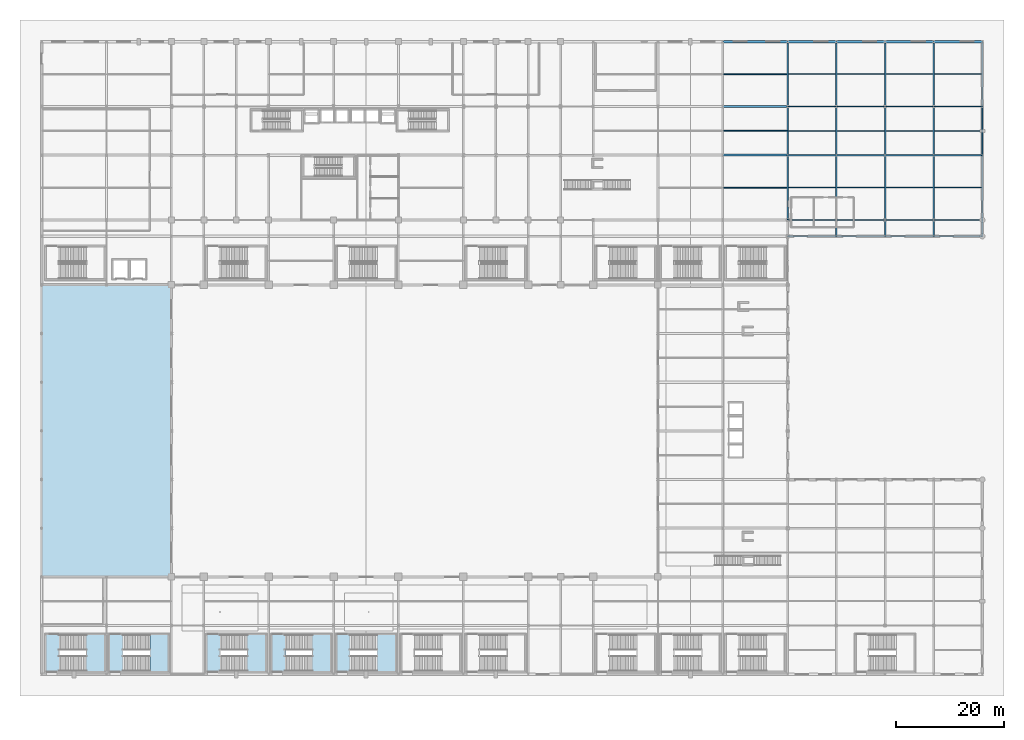
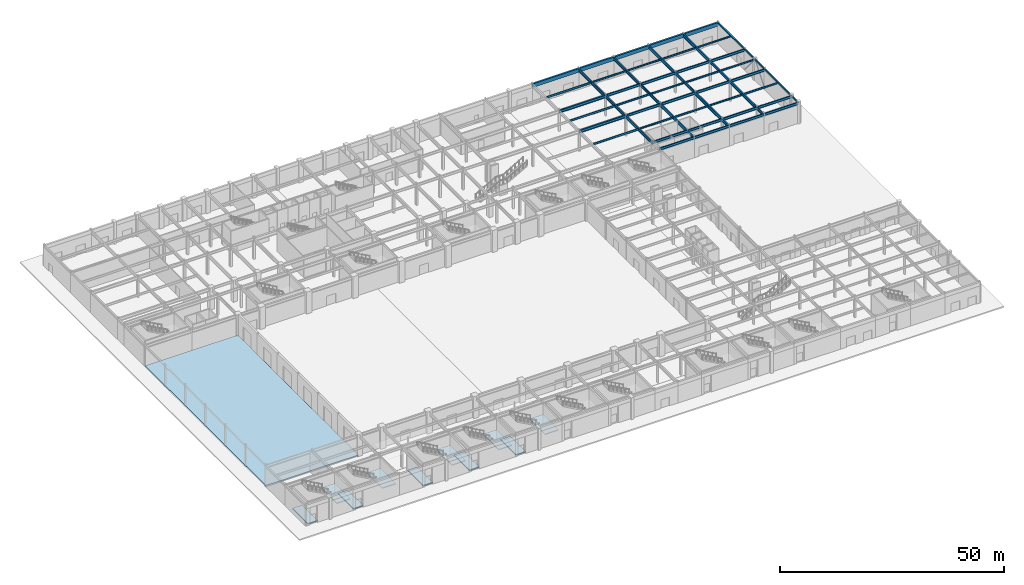
# One storey, part 18 of 44: 57 beams, 11 slabs, 2 members, 5 elements without a shape of their own.
"""IFC4 building model written with IfcOpenShell, lengths in metres."""

from ifc_helpers import new_model, si_unit, direction, frame, origin, origin_2d, place, context, subcontext, project, spatial, polyline, rectangle, hollow_rectangle, hollow_circle, i_section, outline, extrude, material, layer, layer_set, material_profile, profile_set, type_object, element, aggregate, save


model = new_model("IFC4")

# Units and contexts
model_context = context("Model", 3, precision=1e-05, world=origin(), true_north=direction((0.0, 1.0)))
body_context = subcontext(model_context, "Body", "Model", "MODEL_VIEW")
ifc_project = project(units=[si_unit("LENGTHUNIT", "METRE"), si_unit("AREAUNIT", "SQUARE_METRE"), si_unit("VOLUMEUNIT", "CUBIC_METRE"), si_unit("PLANEANGLEUNIT", "RADIAN"), si_unit("MASSUNIT", "GRAM", prefix="KILO")], contexts=[model_context])

# Site, building, storey
site_placement = place(None, origin())
site = spatial("IfcSite", under=ifc_project, at=site_placement, CompositionType="ELEMENT")
building_placement = place(site_placement, origin())
building = spatial("IfcBuilding", under=site, at=building_placement, Name="Kaldorvane Square Convention Centre", CompositionType="ELEMENT")
storey_placement = place(building_placement, origin())
storey = spatial("IfcBuildingStorey", under=building, at=storey_placement, Name="L00", CompositionType="ELEMENT", Elevation=0.0)

# Beams
ifc_material_1 = material(Name="Steel ASTM A992 Gr. 50", Category="steel")
ifc_material_profile_1 = material_profile(ifc_material_1, i_section(OverallWidth=0.25439453125, OverallDepth=0.6880950927734375, WebThickness=0.0131072998046875, FlangeThickness=0.0211029052734375, FilletRadius=0.01519775390625, at=origin_2d()), Name="W27X102")
ifc_profile_set_1 = profile_set([ifc_material_profile_1], Name="Steel ASTM A992 Gr. 50")
beam_type_1 = type_object("IfcBeamType", Name="BM-GR-W27X102", PredefinedType="BEAM", material=ifc_profile_set_1)
for number, where, z_axis, x_axis, name in (
    (1, (138.0, 81.0, 5.3318939208984375), (1.0, 0.0, 0.0), (0.0, 1.0, 0.0), "Primary Girder (L00)"),
    (2, (147.0, 81.0, 5.3318939208984375), (1.0, 0.0, 0.0), (0.0, 1.0, 0.0), "Primary Girder (L00)"),
    (3, (156.0, 81.0, 5.3318939208984375), (1.0, 0.0, 0.0), (0.0, 1.0, 0.0), "Primary Girder (L00)"),
    (4, (165.0, 81.0, 5.3318939208984375), (1.0, 0.0, 0.0), (0.0, 1.0, 0.0), "Primary Girder (L00)"),
    (5, (138.0, 84.0, 5.3318939208984375), (1.0, 0.0, 0.0), (0.0, 1.0, 0.0), "Primary Girder (L00)"),
    (6, (147.0, 84.0, 5.3318939208984375), (1.0, 0.0, 0.0), (0.0, 1.0, 0.0), "Primary Girder (L00)"),
    (7, (156.0, 84.0, 5.3318939208984375), (1.0, 0.0, 0.0), (0.0, 1.0, 0.0), "Primary Girder (L00)"),
    (8, (165.0, 84.0, 5.3318939208984375), (1.0, 0.0, 0.0), (0.0, 1.0, 0.0), "Primary Girder (L00)"),
    (9, (138.0, 96.0, 5.3318939208984375), (1.0, 0.0, 0.0), (0.0, 1.0, 0.0), "Primary Girder (L00)"),
    (10, (147.0, 96.0, 5.3318939208984375), (1.0, 0.0, 0.0), (0.0, 1.0, 0.0), "Primary Girder (L00)"),
    (11, (156.0, 96.0, 5.3318939208984375), (1.0, 0.0, 0.0), (0.0, 1.0, 0.0), "Primary Girder (L00)"),
    (12, (165.0, 96.0, 5.3318939208984375), (1.0, 0.0, 0.0), (0.0, 1.0, 0.0), "Primary Girder (L00)"),
    (13, (138.0, 105.0, 5.3318939208984375), (1.0, 0.0, 0.0), (0.0, 1.0, 0.0), "Primary Girder (L00)"),
    (14, (147.0, 105.0, 5.3318939208984375), (1.0, 0.0, 0.0), (0.0, 1.0, 0.0), "Primary Girder (L00)"),
    (15, (156.0, 105.0, 5.3318939208984375), (1.0, 0.0, 0.0), (0.0, 1.0, 0.0), "Primary Girder (L00)"),
    (16, (165.0, 105.0, 5.3318939208984375), (1.0, 0.0, 0.0), (0.0, 1.0, 0.0), "Primary Girder (L00)"),
):
    element("IfcBeam", number, at=place(storey_placement, frame(where, z_axis=z_axis, x_axis=x_axis)), inside=storey, type_object=beam_type_1, Name=name, PredefinedType="BEAM", context=body_context, shape_type="SweptSolid", body=[
        extrude(i_section(OverallWidth=0.25439453125, OverallDepth=0.6880950927734375, WebThickness=0.0131072998046875, FlangeThickness=0.0211029052734375, FilletRadius=0.01519775390625, at=origin_2d()), origin(), (0.0, 0.0, 1.0), 9.0),
    ])
ifc_material_profile_2 = material_profile(ifc_material_1, i_section(OverallWidth=0.2666015625, OverallDepth=0.762298583984375, WebThickness=0.014404296875, FlangeThickness=0.0216064453125, FilletRadius=0.0164947509765625, at=origin_2d()), Name="W30X116")
ifc_profile_set_2 = profile_set([ifc_material_profile_2], Name="Steel ASTM A992 Gr. 50")
beam_type_2 = type_object("IfcBeamType", Name="BM-GR-W30X116", PredefinedType="BEAM", material=ifc_profile_set_2)
beam_1_placement = place(storey_placement, frame((138.0, 96.0, 5.2949066162109375), z_axis=(0.0, 1.0, 0.0), x_axis=(-1.0, 0.0, 0.0)))
element("IfcBeam", 17, at=beam_1_placement, inside=storey, type_object=beam_type_2, Name="Transverse Girder (L00)", PredefinedType="BEAM", context=body_context, shape_type="SweptSolid", body=[
    extrude(i_section(OverallWidth=0.2666015625, OverallDepth=0.762298583984375, WebThickness=0.014404296875, FlangeThickness=0.0216064453125, FilletRadius=0.0164947509765625, at=origin_2d()), origin(), (0.0, 0.0, 1.0), 9.0),
])
beam_2_placement = place(storey_placement, frame((147.0, 81.0, 5.2949066162109375), z_axis=(0.0, 1.0, 0.0), x_axis=(-1.0, 0.0, 0.0)))
element("IfcBeam", 18, at=beam_2_placement, inside=storey, type_object=beam_type_2, Name="Transverse Girder (L00)", PredefinedType="BEAM", context=body_context, shape_type="SweptSolid", body=[
    extrude(i_section(OverallWidth=0.2666015625, OverallDepth=0.762298583984375, WebThickness=0.014404296875, FlangeThickness=0.0216064453125, FilletRadius=0.0164947509765625, at=origin_2d()), origin(), (0.0, 0.0, 1.0), 3.0),
])
beam_3_placement = place(storey_placement, frame((147.0, 96.0, 5.2949066162109375), z_axis=(0.0, 1.0, 0.0), x_axis=(-1.0, 0.0, 0.0)))
element("IfcBeam", 19, at=beam_3_placement, inside=storey, type_object=beam_type_2, Name="Transverse Girder (L00)", PredefinedType="BEAM", context=body_context, shape_type="SweptSolid", body=[
    extrude(i_section(OverallWidth=0.2666015625, OverallDepth=0.762298583984375, WebThickness=0.014404296875, FlangeThickness=0.0216064453125, FilletRadius=0.0164947509765625, at=origin_2d()), origin(), (0.0, 0.0, 1.0), 9.0),
])
beam_4_placement = place(storey_placement, frame((156.0, 81.0, 5.2949066162109375), z_axis=(0.0, 1.0, 0.0), x_axis=(-1.0, 0.0, 0.0)))
element("IfcBeam", 20, at=beam_4_placement, inside=storey, type_object=beam_type_2, Name="Transverse Girder (L00)", PredefinedType="BEAM", context=body_context, shape_type="SweptSolid", body=[
    extrude(i_section(OverallWidth=0.2666015625, OverallDepth=0.762298583984375, WebThickness=0.014404296875, FlangeThickness=0.0216064453125, FilletRadius=0.0164947509765625, at=origin_2d()), origin(), (0.0, 0.0, 1.0), 3.0),
])
beam_5_placement = place(storey_placement, frame((156.0, 96.0, 5.2949066162109375), z_axis=(0.0, 1.0, 0.0), x_axis=(-1.0, 0.0, 0.0)))
element("IfcBeam", 21, at=beam_5_placement, inside=storey, type_object=beam_type_2, Name="Transverse Girder (L00)", PredefinedType="BEAM", context=body_context, shape_type="SweptSolid", body=[
    extrude(i_section(OverallWidth=0.2666015625, OverallDepth=0.762298583984375, WebThickness=0.014404296875, FlangeThickness=0.0216064453125, FilletRadius=0.0164947509765625, at=origin_2d()), origin(), (0.0, 0.0, 1.0), 9.0),
])
beam_6_placement = place(storey_placement, frame((165.0, 81.0, 5.2949066162109375), z_axis=(0.0, 1.0, 0.0), x_axis=(-1.0, 0.0, 0.0)))
element("IfcBeam", 22, at=beam_6_placement, inside=storey, type_object=beam_type_2, Name="Transverse Girder (L00)", PredefinedType="BEAM", context=body_context, shape_type="SweptSolid", body=[
    extrude(i_section(OverallWidth=0.2666015625, OverallDepth=0.762298583984375, WebThickness=0.014404296875, FlangeThickness=0.0216064453125, FilletRadius=0.0164947509765625, at=origin_2d()), origin(), (0.0, 0.0, 1.0), 3.0),
])
beam_7_placement = place(storey_placement, frame((165.0, 96.0, 5.2949066162109375), z_axis=(0.0, 1.0, 0.0), x_axis=(-1.0, 0.0, 0.0)))
element("IfcBeam", 23, at=beam_7_placement, inside=storey, type_object=beam_type_2, Name="Transverse Girder (L00)", PredefinedType="BEAM", context=body_context, shape_type="SweptSolid", body=[
    extrude(i_section(OverallWidth=0.2666015625, OverallDepth=0.762298583984375, WebThickness=0.014404296875, FlangeThickness=0.0216064453125, FilletRadius=0.0164947509765625, at=origin_2d()), origin(), (0.0, 0.0, 1.0), 9.0),
])
ifc_material_profile_3 = material_profile(ifc_material_1, i_section(OverallWidth=0.380706787109375, OverallDepth=0.773193359375, WebThickness=0.0166015625, FlangeThickness=0.027099609375, FilletRadius=0.0164947509765625, at=origin_2d()), Name="W30X173")
ifc_profile_set_3 = profile_set([ifc_material_profile_3], Name="Steel ASTM A992 Gr. 50")
beam_type_3 = type_object("IfcBeamType", Name="BM-GR-W30X173", PredefinedType="BEAM", material=ifc_profile_set_3)
for number, where, z_axis, x_axis, name in (
    (24, (126.0, 96.0, 5.289398193359375), (1.0, 0.0, 0.0), (0.0, 1.0, 0.0), "Primary Girder (L00)"),
    (25, (126.0, 105.0, 5.289398193359375), (1.0, 0.0, 0.0), (0.0, 1.0, 0.0), "Primary Girder (L00)"),
):
    element("IfcBeam", number, at=place(storey_placement, frame(where, z_axis=z_axis, x_axis=x_axis)), inside=storey, type_object=beam_type_3, Name=name, PredefinedType="BEAM", context=body_context, shape_type="SweptSolid", body=[
        extrude(i_section(OverallWidth=0.380706787109375, OverallDepth=0.773193359375, WebThickness=0.0166015625, FlangeThickness=0.027099609375, FilletRadius=0.0164947509765625, at=origin_2d()), origin(), (0.0, 0.0, 1.0), 12.0),
    ])
ifc_material_profile_4 = material_profile(ifc_material_1, i_section(OverallWidth=0.292999267578125, OverallDepth=0.845794677734375, WebThickness=0.0153961181640625, FlangeThickness=0.0243988037109375, FilletRadius=0.0178070068359375, at=origin_2d()), Name="W33X141")
ifc_profile_set_4 = profile_set([ifc_material_profile_4], Name="Steel ASTM A992 Gr. 50")
beam_type_4 = type_object("IfcBeamType", Name="BM-GR-W33X141", PredefinedType="BEAM", material=ifc_profile_set_4)
for number, where, z_axis, x_axis, name in (
    (26, (138.0, 84.0, 5.2530975341796875), (0.0, 1.0, 0.0), (-1.0, 0.0, 0.0), "Transverse Girder (L00)"),
    (27, (138.0, 105.0, 5.2530975341796875), (0.0, 1.0, 0.0), (-1.0, 0.0, 0.0), "Transverse Girder (L00)"),
    (28, (147.0, 84.0, 5.2530975341796875), (0.0, 1.0, 0.0), (-1.0, 0.0, 0.0), "Transverse Girder (L00)"),
    (29, (147.0, 105.0, 5.2530975341796875), (0.0, 1.0, 0.0), (-1.0, 0.0, 0.0), "Transverse Girder (L00)"),
    (30, (156.0, 84.0, 5.2530975341796875), (0.0, 1.0, 0.0), (-1.0, 0.0, 0.0), "Transverse Girder (L00)"),
    (31, (156.0, 105.0, 5.2530975341796875), (0.0, 1.0, 0.0), (-1.0, 0.0, 0.0), "Transverse Girder (L00)"),
    (32, (165.0, 84.0, 5.2530975341796875), (0.0, 1.0, 0.0), (-1.0, 0.0, 0.0), "Transverse Girder (L00)"),
    (33, (165.0, 105.0, 5.2530975341796875), (0.0, 1.0, 0.0), (-1.0, 0.0, 0.0), "Transverse Girder (L00)"),
):
    element("IfcBeam", number, at=place(storey_placement, frame(where, z_axis=z_axis, x_axis=x_axis)), inside=storey, type_object=beam_type_4, Name=name, PredefinedType="BEAM", context=body_context, shape_type="SweptSolid", body=[
        extrude(i_section(OverallWidth=0.292999267578125, OverallDepth=0.845794677734375, WebThickness=0.0153961181640625, FlangeThickness=0.0243988037109375, FilletRadius=0.0178070068359375, at=origin_2d()), origin(), (0.0, 0.0, 1.0), 12.0),
    ])
ifc_material_profile_5 = material_profile(ifc_material_1, i_section(OverallWidth=0.1912994384765625, OverallDepth=0.4600067138671875, WebThickness=0.0099029541015625, FlangeThickness=0.0160064697265625, FilletRadius=0.01019287109375, at=origin_2d()), Name="W18X55")
ifc_profile_set_5 = profile_set([ifc_material_profile_5], Name="Steel ASTM A992 Gr. 50")
beam_type_5 = type_object("IfcBeamType", Name="BM-JS-W18X55", PredefinedType="JOIST", material=ifc_profile_set_5)
for number, where, z_axis, x_axis, name in (
    (34, (138.14649963378906, 90.0, 5.4459991455078125), (1.0, 0.0, 0.0), (0.0, 1.0, 0.0), "Secondary Floor Joist (L00)"),
    (35, (147.14649963378906, 90.0, 5.4459991455078125), (1.0, 0.0, 0.0), (0.0, 1.0, 0.0), "Secondary Floor Joist (L00)"),
    (36, (156.14649963378906, 90.0, 5.4459991455078125), (1.0, 0.0, 0.0), (0.0, 1.0, 0.0), "Secondary Floor Joist (L00)"),
):
    element("IfcBeam", number, at=place(storey_placement, frame(where, z_axis=z_axis, x_axis=x_axis)), inside=storey, type_object=beam_type_5, Name=name, PredefinedType="JOIST", context=body_context, shape_type="SweptSolid", body=[
        extrude(i_section(OverallWidth=0.1912994384765625, OverallDepth=0.4600067138671875, WebThickness=0.0099029541015625, FlangeThickness=0.0160064697265625, FilletRadius=0.01019287109375, at=origin_2d()), origin(), (0.0, 0.0, 1.0), 8.707000732421875),
    ])
beam_8_placement = place(storey_placement, frame((165.14649963378906, 90.0, 5.4459991455078125), z_axis=(1.0, 0.0, 0.0), x_axis=(0.0, 1.0, 0.0)))
element("IfcBeam", 37, at=beam_8_placement, inside=storey, type_object=beam_type_5, Name="Secondary Floor Joist (L00)", PredefinedType="JOIST", context=body_context, shape_type="SweptSolid", body=[
    extrude(i_section(OverallWidth=0.1912994384765625, OverallDepth=0.4600067138671875, WebThickness=0.0099029541015625, FlangeThickness=0.0160064697265625, FilletRadius=0.01019287109375, at=origin_2d()), origin(), (0.0, 0.0, 1.0), 8.701095581054688),
])
for number, where, z_axis, x_axis, name in (
    (38, (138.13330078125, 100.5, 5.4459991455078125), (1.0, 0.0, 0.0), (0.0, 1.0, 0.0), "Secondary Floor Joist (L00)"),
    (39, (147.13330078125, 100.5, 5.4459991455078125), (1.0, 0.0, 0.0), (0.0, 1.0, 0.0), "Secondary Floor Joist (L00)"),
    (40, (156.13330078125, 100.5, 5.4459991455078125), (1.0, 0.0, 0.0), (0.0, 1.0, 0.0), "Secondary Floor Joist (L00)"),
):
    element("IfcBeam", number, at=place(storey_placement, frame(where, z_axis=z_axis, x_axis=x_axis)), inside=storey, type_object=beam_type_5, Name=name, PredefinedType="JOIST", context=body_context, shape_type="SweptSolid", body=[
        extrude(i_section(OverallWidth=0.1912994384765625, OverallDepth=0.4600067138671875, WebThickness=0.0099029541015625, FlangeThickness=0.0160064697265625, FilletRadius=0.01019287109375, at=origin_2d()), origin(), (0.0, 0.0, 1.0), 8.7333984375),
    ])
beam_9_placement = place(storey_placement, frame((165.13330078125, 100.5, 5.4459991455078125), z_axis=(1.0, 0.0, 0.0), x_axis=(0.0, 1.0, 0.0)))
element("IfcBeam", 41, at=beam_9_placement, inside=storey, type_object=beam_type_5, Name="Secondary Floor Joist (L00)", PredefinedType="JOIST", context=body_context, shape_type="SweptSolid", body=[
    extrude(i_section(OverallWidth=0.1912994384765625, OverallDepth=0.4600067138671875, WebThickness=0.0099029541015625, FlangeThickness=0.0160064697265625, FilletRadius=0.01019287109375, at=origin_2d()), origin(), (0.0, 0.0, 1.0), 8.71429443359375),
])
for number, where, z_axis, x_axis, name in (
    (42, (138.14649963378906, 111.0, 5.4459991455078125), (1.0, 0.0, 0.0), (0.0, 1.0, 0.0), "Secondary Floor Joist (L00)"),
    (43, (147.14649963378906, 111.0, 5.4459991455078125), (1.0, 0.0, 0.0), (0.0, 1.0, 0.0), "Secondary Floor Joist (L00)"),
    (44, (156.14649963378906, 111.0, 5.4459991455078125), (1.0, 0.0, 0.0), (0.0, 1.0, 0.0), "Secondary Floor Joist (L00)"),
):
    element("IfcBeam", number, at=place(storey_placement, frame(where, z_axis=z_axis, x_axis=x_axis)), inside=storey, type_object=beam_type_5, Name=name, PredefinedType="JOIST", context=body_context, shape_type="SweptSolid", body=[
        extrude(i_section(OverallWidth=0.1912994384765625, OverallDepth=0.4600067138671875, WebThickness=0.0099029541015625, FlangeThickness=0.0160064697265625, FilletRadius=0.01019287109375, at=origin_2d()), origin(), (0.0, 0.0, 1.0), 8.707000732421875),
    ])
beam_10_placement = place(storey_placement, frame((165.14649963378906, 111.0, 5.4459991455078125), z_axis=(1.0, 0.0, 0.0), x_axis=(0.0, 1.0, 0.0)))
element("IfcBeam", 45, at=beam_10_placement, inside=storey, type_object=beam_type_5, Name="Secondary Floor Joist (L00)", PredefinedType="JOIST", context=body_context, shape_type="SweptSolid", body=[
    extrude(i_section(OverallWidth=0.1912994384765625, OverallDepth=0.4600067138671875, WebThickness=0.0099029541015625, FlangeThickness=0.0160064697265625, FilletRadius=0.01019287109375, at=origin_2d()), origin(), (0.0, 0.0, 1.0), 8.701095581054688),
])
ifc_material_profile_6 = material_profile(ifc_material_1, i_section(OverallWidth=0.1658935546875, OverallDepth=0.5290985107421875, WebThickness=0.00970458984375, FlangeThickness=0.0135955810546875, FilletRadius=0.0126953125, at=origin_2d()), Name="W21X50")
ifc_profile_set_6 = profile_set([ifc_material_profile_6], Name="Steel ASTM A992 Gr. 50")
beam_type_6 = type_object("IfcBeamType", Name="BM-JS-W21X50", PredefinedType="JOIST", material=ifc_profile_set_6)
beam_11_placement = place(storey_placement, frame((126.14649963378906, 90.0, 5.4114990234375), z_axis=(1.0, 0.0, 0.0), x_axis=(0.0, 1.0, 0.0)))
element("IfcBeam", 46, at=beam_11_placement, inside=storey, type_object=beam_type_6, Name="Secondary Floor Joist (L00)", PredefinedType="JOIST", context=body_context, shape_type="SweptSolid", body=[
    extrude(i_section(OverallWidth=0.1658935546875, OverallDepth=0.5290985107421875, WebThickness=0.00970458984375, FlangeThickness=0.0135955810546875, FilletRadius=0.0126953125, at=origin_2d()), origin(), (0.0, 0.0, 1.0), 11.707000732421875),
])
beam_12_placement = place(storey_placement, frame((126.13330078125, 100.5, 5.4114990234375), z_axis=(1.0, 0.0, 0.0), x_axis=(0.0, 1.0, 0.0)))
element("IfcBeam", 47, at=beam_12_placement, inside=storey, type_object=beam_type_6, Name="Secondary Floor Joist (L00)", PredefinedType="JOIST", context=body_context, shape_type="SweptSolid", body=[
    extrude(i_section(OverallWidth=0.1658935546875, OverallDepth=0.5290985107421875, WebThickness=0.00970458984375, FlangeThickness=0.0135955810546875, FilletRadius=0.0126953125, at=origin_2d()), origin(), (0.0, 0.0, 1.0), 11.7333984375),
])
beam_13_placement = place(storey_placement, frame((126.14649963378906, 111.0, 5.4114990234375), z_axis=(1.0, 0.0, 0.0), x_axis=(0.0, 1.0, 0.0)))
element("IfcBeam", 48, at=beam_13_placement, inside=storey, type_object=beam_type_6, Name="Secondary Floor Joist (L00)", PredefinedType="JOIST", context=body_context, shape_type="SweptSolid", body=[
    extrude(i_section(OverallWidth=0.1658935546875, OverallDepth=0.5290985107421875, WebThickness=0.00970458984375, FlangeThickness=0.0135955810546875, FilletRadius=0.0126953125, at=origin_2d()), origin(), (0.0, 0.0, 1.0), 11.707000732421875),
])
ifc_material_2 = material(Name="Steel ASTM A500 Gr. C", Category="steel")
ifc_material_profile_7 = material_profile(ifc_material_2, hollow_rectangle(XDim=0.3047943115234375, YDim=0.406402587890625, WallThickness=0.0117950439453125, at=origin_2d()), Name="HSS16X12X1/2")
ifc_profile_set_7 = profile_set([ifc_material_profile_7], Name="Steel ASTM A500 Gr. C")
beam_type_7 = type_object("IfcBeamType", Name="BM-SP-HSS16", PredefinedType="SPANDREL", material=ifc_profile_set_7)
beam_14_placement = place(storey_placement, frame((174.0, 81.0, 5.4727935791015625), z_axis=(0.0, 1.0, 0.0), x_axis=(-1.0, 0.0, 0.0)))
element("IfcBeam", 49, at=beam_14_placement, inside=storey, type_object=beam_type_7, Name="End Spandrel (L00)", PredefinedType="SPANDREL", context=body_context, shape_type="SweptSolid", body=[
    extrude(hollow_rectangle(XDim=0.3047943115234375, YDim=0.406402587890625, WallThickness=0.0117950439453125, at=origin_2d()), origin(), (0.0, 0.0, 1.0), 3.0),
])
beam_15_placement = place(storey_placement, frame((174.0, 84.0, 5.4727935791015625), z_axis=(0.0, 1.0, 0.0), x_axis=(-1.0, 0.0, 0.0)))
element("IfcBeam", 50, at=beam_15_placement, inside=storey, type_object=beam_type_7, Name="End Spandrel (L00)", PredefinedType="SPANDREL", context=body_context, shape_type="SweptSolid", body=[
    extrude(hollow_rectangle(XDim=0.3047943115234375, YDim=0.406402587890625, WallThickness=0.0117950439453125, at=origin_2d()), origin(), (0.0, 0.0, 1.0), 12.0),
])
beam_16_placement = place(storey_placement, frame((174.0, 96.0, 5.4727935791015625), z_axis=(0.0, 1.0, 0.0), x_axis=(-1.0, 0.0, 0.0)))
element("IfcBeam", 51, at=beam_16_placement, inside=storey, type_object=beam_type_7, Name="End Spandrel (L00)", PredefinedType="SPANDREL", context=body_context, shape_type="SweptSolid", body=[
    extrude(hollow_rectangle(XDim=0.3047943115234375, YDim=0.406402587890625, WallThickness=0.0117950439453125, at=origin_2d()), origin(), (0.0, 0.0, 1.0), 9.0),
])
beam_17_placement = place(storey_placement, frame((174.0, 105.0, 5.4727935791015625), z_axis=(0.0, 1.0, 0.0), x_axis=(-1.0, 0.0, 0.0)))
element("IfcBeam", 52, at=beam_17_placement, inside=storey, type_object=beam_type_7, Name="End Spandrel (L00)", PredefinedType="SPANDREL", context=body_context, shape_type="SweptSolid", body=[
    extrude(hollow_rectangle(XDim=0.3047943115234375, YDim=0.406402587890625, WallThickness=0.0117950439453125, at=origin_2d()), origin(), (0.0, 0.0, 1.0), 12.0),
])
ifc_material_3 = material(Name="Concrete f'c = 42 MPa (Normalweight)", Category="concrete")
ifc_material_profile_8 = material_profile(ifc_material_3, rectangle(XDim=0.4499969482421875, YDim=1.0, at=origin_2d()), Name="RCSP1000X450")
ifc_profile_set_8 = profile_set([ifc_material_profile_8], Name="Concrete f'c = 42 MPa (Normalweight)")
beam_type_8 = type_object("IfcBeamType", Name="BM-SP-RC1000", PredefinedType="SPANDREL", material=ifc_profile_set_8)
beam_18_placement = place(storey_placement, frame((126.0, 117.0, 5.175994873046875), z_axis=(1.0, 0.0, 0.0), x_axis=(0.0, 1.0, 0.0)))
element("IfcBeam", 53, at=beam_18_placement, inside=storey, type_object=beam_type_8, Name="Perimeter Spandrel (L00)", PredefinedType="SPANDREL", context=body_context, shape_type="SweptSolid", body=[
    extrude(rectangle(XDim=0.4499969482421875, YDim=1.0, at=origin_2d()), origin(), (0.0, 0.0, 1.0), 12.0),
])
for number, where, z_axis, x_axis, name in (
    (54, (138.0, 117.0, 5.175994873046875), (1.0, 0.0, 0.0), (0.0, 1.0, 0.0), "Perimeter Spandrel (L00)"),
    (55, (147.0, 117.0, 5.175994873046875), (1.0, 0.0, 0.0), (0.0, 1.0, 0.0), "Perimeter Spandrel (L00)"),
    (56, (156.0, 117.0, 5.175994873046875), (1.0, 0.0, 0.0), (0.0, 1.0, 0.0), "Perimeter Spandrel (L00)"),
    (57, (165.0, 117.0, 5.175994873046875), (1.0, 0.0, 0.0), (0.0, 1.0, 0.0), "Perimeter Spandrel (L00)"),
):
    element("IfcBeam", number, at=place(storey_placement, frame(where, z_axis=z_axis, x_axis=x_axis)), inside=storey, type_object=beam_type_8, Name=name, PredefinedType="SPANDREL", context=body_context, shape_type="SweptSolid", body=[
        extrude(rectangle(XDim=0.4499969482421875, YDim=1.0, at=origin_2d()), origin(), (0.0, 0.0, 1.0), 9.0),
    ])

# Members
ifc_material_profile_9 = material_profile(ifc_material_2, hollow_circle(Radius=0.1365509033203125, WallThickness=0.0117950439453125, at=origin_2d()), Name="HSS10.750X0.500")
ifc_profile_set_9 = profile_set([ifc_material_profile_9], Name="Steel ASTM A500 Gr. C")
member_type = type_object("IfcMemberType", Name="MB-BR-CHS10", PredefinedType="BRACE", material=ifc_profile_set_9)
for number, where, z_axis, x_axis, name in (
    (58, (174.0, 96.0, 0.0), (0.0, 0.635117820374, 0.772415273181), (-1.0, 0.0, 0.0), "Seismic Chevron Brace X174-B2A (L00)"),
    (59, (174.0, 105.0, 0.0), (0.0, -0.635117820374, 0.772415273181), (1.0, 0.0, 0.0), "Seismic Chevron Brace X174-B2B (L00)"),
):
    element("IfcMember", number, at=place(storey_placement, frame(where, z_axis=z_axis, x_axis=x_axis)), inside=storey, type_object=member_type, Name=name, PredefinedType="BRACE", context=body_context, shape_type="SweptSolid", body=[
        extrude(hollow_circle(Radius=0.1365509033203125, WallThickness=0.0117950439453125, at=origin_2d()), origin(), (0.0, 0.0, 1.0), 7.085296630859375),
    ])

# Slabs
ifc_layer_1 = layer(ifc_material_3, 0.4199981689453125)
ifc_layer_set_1 = layer_set([ifc_layer_1], Name="Concrete f'c = 42 MPa (Normalweight)")
slab_type_1 = type_object("IfcSlabType", Name="SL-APRON-420", PredefinedType="BASESLAB", material=ifc_layer_set_1)
slab_1_placement = place(storey_placement, frame((0.0, 0.0, -0.4199981689453125)))
element("IfcSlab", 60, at=slab_1_placement, inside=storey, type_object=slab_type_1, Name="Service Yard Heavy Truck Apron", PredefinedType="BASESLAB", context=body_context, shape_type="SweptSolid", body=[
    extrude(outline(polyline([(0.0, 18.0), (24.0, 18.0), (24.0, 72.0), (0.0, 72.0), (0.0, 18.0)])), origin(), (0.0, 0.0, 1.0), 0.4199981689453125),
])
ifc_layer_2 = layer(ifc_material_3, 0.279998779296875)
ifc_layer_set_2 = layer_set([ifc_layer_2], Name="Concrete f'c = 42 MPa (Normalweight)")
slab_type_2 = type_object("IfcSlabType", Name="SL-FLND-280", PredefinedType="FLOOR", material=ifc_layer_set_2)
slab_2_placement = place(storey_placement, frame((0.0, 0.0, -0.279998779296875)))
element("IfcSlab", 61, at=slab_2_placement, inside=storey, type_object=slab_type_2, Name="Convention Exit Stair C1 Floor Landing (L00)", PredefinedType="FLOOR", context=body_context, shape_type="SweptSolid", body=[
    extrude(outline(polyline([(0.7400054931640625, 0.42999267578125), (3.2899932861328125, 0.42999267578125), (3.2899932861328125, 7.3800048828125), (0.7400054931640625, 7.3800048828125), (0.7400054931640625, 0.42999267578125)])), origin(), (0.0, 0.0, 1.0), 0.279998779296875),
])
slab_3_placement = place(storey_placement, frame((0.0, 0.0, -0.279998779296875)))
element("IfcSlab", 62, at=slab_3_placement, inside=storey, type_object=slab_type_2, Name="Convention Exit Stair C2 Floor Landing (L00)", PredefinedType="FLOOR", context=body_context, shape_type="SweptSolid", body=[
    extrude(outline(polyline([(12.520004272460938, 0.42999267578125), (15.07000732421875, 0.42999267578125), (15.07000732421875, 7.3800048828125), (12.520004272460938, 7.3800048828125), (12.520004272460938, 0.42999267578125)])), origin(), (0.0, 0.0, 1.0), 0.279998779296875),
])
slab_4_placement = place(storey_placement, frame((0.0, 0.0, -0.279998779296875)))
element("IfcSlab", 63, at=slab_4_placement, inside=storey, type_object=slab_type_2, Name="Convention Exit Stair C3 Floor Landing (L00)", PredefinedType="FLOOR", context=body_context, shape_type="SweptSolid", body=[
    extrude(outline(polyline([(30.520004272460938, 0.42999267578125), (33.07000732421875, 0.42999267578125), (33.07000732421875, 7.3800048828125), (30.520004272460938, 7.3800048828125), (30.520004272460938, 0.42999267578125)])), origin(), (0.0, 0.0, 1.0), 0.279998779296875),
])
slab_5_placement = place(storey_placement, frame((0.0, 0.0, -0.279998779296875)))
element("IfcSlab", 64, at=slab_5_placement, inside=storey, type_object=slab_type_2, Name="Convention Exit Stair C4 Floor Landing (L00)", PredefinedType="FLOOR", context=body_context, shape_type="SweptSolid", body=[
    extrude(outline(polyline([(42.52000427246094, 0.42999267578125), (45.07000732421875, 0.42999267578125), (45.07000732421875, 7.3800048828125), (42.52000427246094, 7.3800048828125), (42.52000427246094, 0.42999267578125)])), origin(), (0.0, 0.0, 1.0), 0.279998779296875),
])
slab_6_placement = place(storey_placement, frame((0.0, 0.0, -0.279998779296875)))
element("IfcSlab", 65, at=slab_6_placement, inside=storey, type_object=slab_type_2, Name="Convention Exit Stair C5 Floor Landing (L00)", PredefinedType="FLOOR", context=body_context, shape_type="SweptSolid", body=[
    extrude(outline(polyline([(54.52000427246094, 0.42999267578125), (57.07000732421875, 0.42999267578125), (57.07000732421875, 7.3800048828125), (54.52000427246094, 7.3800048828125), (54.52000427246094, 0.42999267578125)])), origin(), (0.0, 0.0, 1.0), 0.279998779296875),
])

# Stair, slab
stair_type = type_object("IfcStairType", Name="ST-DL-2800-6000-D6710", PredefinedType="HALF_TURN_STAIR", material=ifc_material_3)
stair_1_placement = place(storey_placement, origin())
stair_1 = element("IfcStair", 66, at=stair_1_placement, inside=storey, type_object=stair_type, Name="Convention Exit Stair C1 (L00)", PredefinedType="HALF_TURN_STAIR")
ifc_layer_3 = layer(ifc_material_3, 0.2400054931640625)
ifc_layer_set_3 = layer_set([ifc_layer_3], Name="Concrete f'c = 42 MPa (Normalweight)")
slab_type_3 = type_object("IfcSlabType", Name="SL-LAND-240", PredefinedType="LANDING", material=ifc_layer_set_3)
slab_7_placement = place(storey_placement, frame((0.0, 0.0, 2.7599945068359375)))
slab_7 = element("IfcSlab", 67, at=slab_7_placement, type_object=slab_type_3, Name="Convention Exit Stair C1 Half Landing (L00)", PredefinedType="LANDING", context=body_context, shape_type="SweptSolid", body=[
    extrude(outline(polyline([(8.229995727539062, 0.42999267578125), (11.699996948242188, 0.42999267578125), (11.699996948242188, 7.3800048828125), (8.229995727539062, 7.3800048828125), (8.229995727539062, 0.42999267578125)])), origin(), (0.0, 0.0, 1.0), 0.2400054931640625),
])
aggregate(stair_1, [slab_7])

stair_2_placement = place(storey_placement, origin())
stair_2 = element("IfcStair", 68, at=stair_2_placement, inside=storey, type_object=stair_type, Name="Convention Exit Stair C2 (L00)", PredefinedType="HALF_TURN_STAIR")
slab_8_placement = place(storey_placement, frame((0.0, 0.0, 2.7599945068359375)))
slab_8 = element("IfcSlab", 69, at=slab_8_placement, type_object=slab_type_3, Name="Convention Exit Stair C2 Half Landing (L00)", PredefinedType="LANDING", context=body_context, shape_type="SweptSolid", body=[
    extrude(outline(polyline([(20.009994506835938, 0.42999267578125), (23.479995727539062, 0.42999267578125), (23.479995727539062, 7.3800048828125), (20.009994506835938, 7.3800048828125), (20.009994506835938, 0.42999267578125)])), origin(), (0.0, 0.0, 1.0), 0.2400054931640625),
])
aggregate(stair_2, [slab_8])

stair_3_placement = place(storey_placement, origin())
stair_3 = element("IfcStair", 70, at=stair_3_placement, inside=storey, type_object=stair_type, Name="Convention Exit Stair C3 (L00)", PredefinedType="HALF_TURN_STAIR")
slab_9_placement = place(storey_placement, frame((0.0, 0.0, 2.7599945068359375)))
slab_9 = element("IfcSlab", 71, at=slab_9_placement, type_object=slab_type_3, Name="Convention Exit Stair C3 Half Landing (L00)", PredefinedType="LANDING", context=body_context, shape_type="SweptSolid", body=[
    extrude(outline(polyline([(38.00999450683594, 0.42999267578125), (41.47999572753906, 0.42999267578125), (41.47999572753906, 7.3800048828125), (38.00999450683594, 7.3800048828125), (38.00999450683594, 0.42999267578125)])), origin(), (0.0, 0.0, 1.0), 0.2400054931640625),
])
aggregate(stair_3, [slab_9])

stair_4_placement = place(storey_placement, origin())
stair_4 = element("IfcStair", 72, at=stair_4_placement, inside=storey, type_object=stair_type, Name="Convention Exit Stair C4 (L00)", PredefinedType="HALF_TURN_STAIR")
slab_10_placement = place(storey_placement, frame((0.0, 0.0, 2.7599945068359375)))
slab_10 = element("IfcSlab", 73, at=slab_10_placement, type_object=slab_type_3, Name="Convention Exit Stair C4 Half Landing (L00)", PredefinedType="LANDING", context=body_context, shape_type="SweptSolid", body=[
    extrude(outline(polyline([(50.00999450683594, 0.42999267578125), (53.47999572753906, 0.42999267578125), (53.47999572753906, 7.3800048828125), (50.00999450683594, 7.3800048828125), (50.00999450683594, 0.42999267578125)])), origin(), (0.0, 0.0, 1.0), 0.2400054931640625),
])
aggregate(stair_4, [slab_10])

stair_5_placement = place(storey_placement, origin())
stair_5 = element("IfcStair", 74, at=stair_5_placement, inside=storey, type_object=stair_type, Name="Convention Exit Stair C5 (L00)", PredefinedType="HALF_TURN_STAIR")
slab_11_placement = place(storey_placement, frame((0.0, 0.0, 2.7599945068359375)))
slab_11 = element("IfcSlab", 75, at=slab_11_placement, type_object=slab_type_3, Name="Convention Exit Stair C5 Half Landing (L00)", PredefinedType="LANDING", context=body_context, shape_type="SweptSolid", body=[
    extrude(outline(polyline([(62.00999450683594, 0.42999267578125), (65.47999572753906, 0.42999267578125), (65.47999572753906, 7.3800048828125), (62.00999450683594, 7.3800048828125), (62.00999450683594, 0.42999267578125)])), origin(), (0.0, 0.0, 1.0), 0.2400054931640625),
])
aggregate(stair_5, [slab_11])

save(model, "model.ifc")
